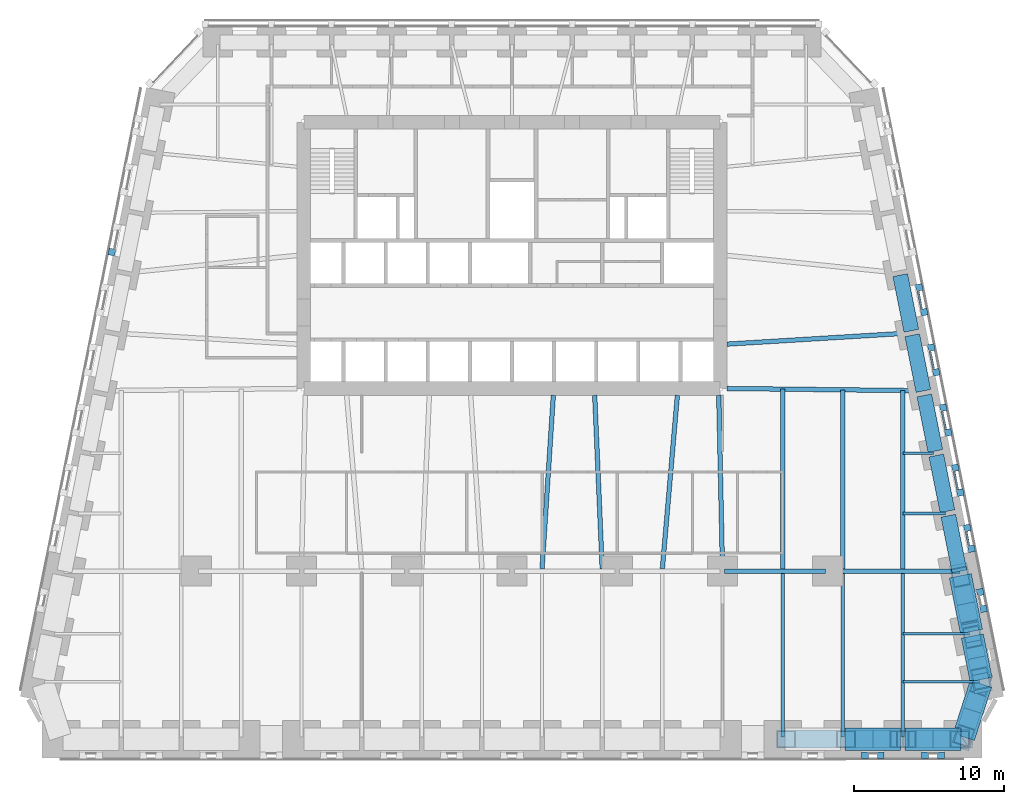
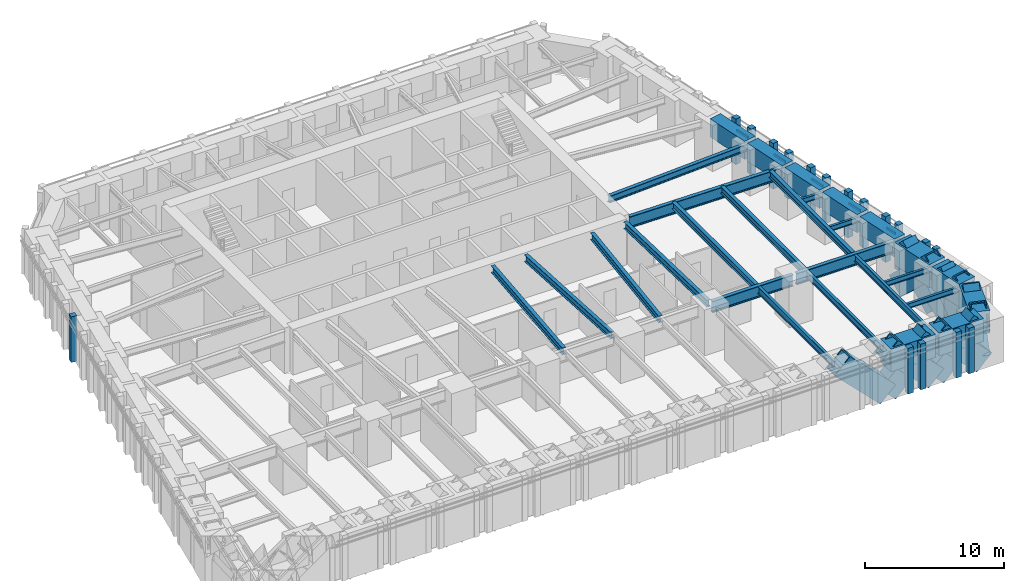
# One storey, part 3 of 16: 33 members, 28 beams, 9 elements without a shape of their own.
"""IFC4 building model written with IfcOpenShell, lengths in metres."""

from ifc_helpers import new_model, si_unit, direction, frame, origin, origin_2d, place, context, subcontext, project, spatial, rectangle, hollow_rectangle, i_section, extrude, material, material_profile, profile_set, type_object, element, aggregate, save


model = new_model("IFC4")

# Units and contexts
model_context = context("Model", 3, precision=1e-05, world=origin(), true_north=direction((0.0, 1.0)))
body_context = subcontext(model_context, "Body", "Model", "MODEL_VIEW")
ifc_project = project(units=[si_unit("LENGTHUNIT", "METRE"), si_unit("AREAUNIT", "SQUARE_METRE"), si_unit("VOLUMEUNIT", "CUBIC_METRE"), si_unit("PLANEANGLEUNIT", "RADIAN"), si_unit("MASSUNIT", "GRAM", prefix="KILO")], contexts=[model_context])

# Site, building, storey
site_placement = place(None, origin())
site = spatial("IfcSite", under=ifc_project, at=site_placement, CompositionType="ELEMENT")
building_placement = place(site_placement, origin())
building = spatial("IfcBuilding", under=site, at=building_placement, Name="Isbrekke Arena Tower", CompositionType="ELEMENT")
storey_placement = place(building_placement, frame((0.0, 0.0, 32.0)))
storey = spatial("IfcBuildingStorey", under=building, at=storey_placement, Name="L05", CompositionType="ELEMENT", Elevation=32.0)

# Beams
ifc_material_1 = material(Name="Steel S355", Category="steel")
ifc_material_profile_1 = material_profile(ifc_material_1, i_section(OverallWidth=0.219970703125, OverallDepth=0.60009765625, WebThickness=0.011962890625, FlangeThickness=0.01904296875, FilletRadius=0.02392578125, at=origin_2d()), Name="IPE 600")
ifc_profile_set_1 = profile_set([ifc_material_profile_1], Name="Steel S355")
beam_type_1 = type_object("IfcBeamType", Name="B1 IPE 600", PredefinedType="BEAM", material=ifc_profile_set_1)
for number, where, z_axis, x_axis, name in (
    (1, (18.0, -17.02490234375, 3.550048828125), (0.0, 1.0, 0.0), (-1.0, 0.0, 0.0), "B1 beam S-S13 L05"),
    (2, (22.0, -17.02490234375, 3.550048828125), (0.0, 1.0, 0.0), (-1.0, 0.0, 0.0), "B1 beam S-S14 L05"),
    (3, (26.0, -17.02490234375, 3.550048828125), (0.0, 1.0, 0.0), (-1.0, 0.0, 0.0), "B1 beam S-S15 L05"),
):
    element("IfcBeam", number, at=place(storey_placement, frame(where, z_axis=z_axis, x_axis=x_axis)), inside=storey, type_object=beam_type_1, Name=name, PredefinedType="BEAM", context=body_context, shape_type="SweptSolid", body=[
        extrude(i_section(OverallWidth=0.219970703125, OverallDepth=0.60009765625, WebThickness=0.011962890625, FlangeThickness=0.01904296875, FilletRadius=0.02392578125, at=origin_2d()), origin(), (0.0, 0.0, 1.0), 10.8740234375),
    ])
ifc_material_2 = material(Name="Steel S355", Category="steel")
ifc_material_profile_2 = material_profile(ifc_material_2, i_section(OverallWidth=0.18994140625, OverallDepth=0.449951171875, WebThickness=0.009521484375, FlangeThickness=0.0146484375, FilletRadius=0.02099609375, at=origin_2d()), Name="IPE 450")
ifc_profile_set_2 = profile_set([ifc_material_profile_2], Name="Steel S355")
beam_type_2 = type_object("IfcBeamType", Name="B2 IPE 450", PredefinedType="BEAM", material=ifc_profile_set_2)
beam_1_placement = place(storey_placement, frame((31.079345703125, -13.352783203125, 3.625), z_axis=(-1.0, 0.0, 0.0), x_axis=(0.0, -1.0, 0.0)))
element("IfcBeam", 4, at=beam_1_placement, inside=storey, type_object=beam_type_2, Name="B2 beam E-E01 L05", PredefinedType="BEAM", context=body_context, shape_type="SweptSolid", body=[
    extrude(i_section(OverallWidth=0.18994140625, OverallDepth=0.449951171875, WebThickness=0.009521484375, FlangeThickness=0.0146484375, FilletRadius=0.02099609375, at=origin_2d()), origin(), (0.0, 0.0, 1.0), 5.079345703125),
])
beam_2_placement = place(storey_placement, frame((30.44091796875, -10.161865234375, 3.625), z_axis=(-1.0, 0.0, 0.0), x_axis=(0.0, -1.0, 0.0)))
element("IfcBeam", 5, at=beam_2_placement, inside=storey, type_object=beam_type_2, Name="B2 beam E-E02 L05", PredefinedType="BEAM", context=body_context, shape_type="SweptSolid", body=[
    extrude(i_section(OverallWidth=0.18994140625, OverallDepth=0.449951171875, WebThickness=0.009521484375, FlangeThickness=0.0146484375, FilletRadius=0.02099609375, at=origin_2d()), origin(), (0.0, 0.0, 1.0), 4.44091796875),
])
beam_3_placement = place(storey_placement, frame((28.841064453125, -2.161865234375, 3.625), z_axis=(-1.0, 0.0, 0.0), x_axis=(0.0, -1.0, 0.0)))
element("IfcBeam", 6, at=beam_3_placement, inside=storey, type_object=beam_type_2, Name="B2 beam E-E04 L05", PredefinedType="BEAM", context=body_context, shape_type="SweptSolid", body=[
    extrude(i_section(OverallWidth=0.18994140625, OverallDepth=0.449951171875, WebThickness=0.009521484375, FlangeThickness=0.0146484375, FilletRadius=0.02099609375, at=origin_2d()), origin(), (0.0, 0.0, 1.0), 2.841064453125),
])
beam_4_placement = place(storey_placement, frame((28.041015625, 1.838134765625, 3.625), z_axis=(-1.0, 0.0, 0.0), x_axis=(0.0, -1.0, 0.0)))
element("IfcBeam", 7, at=beam_4_placement, inside=storey, type_object=beam_type_2, Name="B2 beam E-E05 L05", PredefinedType="BEAM", context=body_context, shape_type="SweptSolid", body=[
    extrude(i_section(OverallWidth=0.18994140625, OverallDepth=0.449951171875, WebThickness=0.009521484375, FlangeThickness=0.0146484375, FilletRadius=0.02099609375, at=origin_2d()), origin(), (0.0, 0.0, 1.0), 2.041015625),
])
ifc_material_3 = material(Name="Steel S355", Category="steel")
ifc_material_profile_3 = material_profile(ifc_material_3, i_section(OverallWidth=0.300048828125, OverallDepth=0.60009765625, WebThickness=0.015380859375, FlangeThickness=0.030029296875, FilletRadius=0.027099609375, at=origin_2d()), Name="HEB 600")
ifc_profile_set_3 = profile_set([ifc_material_profile_3], Name="Steel S355")
beam_type_3 = type_object("IfcBeamType", Name="B7 HEB 600", PredefinedType="BEAM", material=ifc_profile_set_3)
beam_5_placement = place(storey_placement, frame((2.000732421875, -5.83935546875, 3.550048828125), z_axis=(0.064795318476, 0.997898575359, 0.0), x_axis=(-0.997898575359, 0.064795318476, 0.0)))
element("IfcBeam", 8, at=beam_5_placement, inside=storey, type_object=beam_type_3, Name="B7 beam C-M08 L05", PredefinedType="BEAM", context=body_context, shape_type="SweptSolid", body=[
    extrude(i_section(OverallWidth=0.300048828125, OverallDepth=0.60009765625, WebThickness=0.015380859375, FlangeThickness=0.030029296875, FilletRadius=0.027099609375, at=origin_2d()), origin(), (0.0, 0.0, 1.0), 11.563720703125),
])
beam_6_placement = place(storey_placement, frame((5.999755859375, -5.842529296875, 3.550048828125), z_axis=(-0.04325656756, 0.99906399663, 0.0), x_axis=(-0.99906399663, -0.04325656756, 0.0)))
element("IfcBeam", 9, at=beam_6_placement, inside=storey, type_object=beam_type_3, Name="B7 beam C-M09 L05", PredefinedType="BEAM", context=body_context, shape_type="SweptSolid", body=[
    extrude(i_section(OverallWidth=0.300048828125, OverallDepth=0.60009765625, WebThickness=0.015380859375, FlangeThickness=0.030029296875, FilletRadius=0.027099609375, at=origin_2d()), origin(), (0.0, 0.0, 1.0), 11.55322265625),
])
beam_7_placement = place(storey_placement, frame((10.001220703125, -5.836181640625, 3.550048828125), z_axis=(0.086255671377, 0.996273034442, 0.0), x_axis=(-0.996273034442, 0.086255671377, 0.0)))
element("IfcBeam", 10, at=beam_7_placement, inside=storey, type_object=beam_type_3, Name="B7 beam C-M10 L05", PredefinedType="BEAM", context=body_context, shape_type="SweptSolid", body=[
    extrude(i_section(OverallWidth=0.300048828125, OverallDepth=0.60009765625, WebThickness=0.015380859375, FlangeThickness=0.030029296875, FilletRadius=0.027099609375, at=origin_2d()), origin(), (0.0, 0.0, 1.0), 11.579345703125),
])
beam_8_placement = place(storey_placement, frame((14.0, -5.8466796875, 3.550048828125), z_axis=(-0.021646264273, 0.999765692171, 0.0), x_axis=(-0.999765692171, -0.021646264273, 0.0)))
element("IfcBeam", 11, at=beam_8_placement, inside=storey, type_object=beam_type_3, Name="B7 beam C-M11 L05", PredefinedType="BEAM", context=body_context, shape_type="SweptSolid", body=[
    extrude(i_section(OverallWidth=0.300048828125, OverallDepth=0.60009765625, WebThickness=0.015380859375, FlangeThickness=0.030029296875, FilletRadius=0.027099609375, at=origin_2d()), origin(), (0.0, 0.0, 1.0), 11.54931640625),
])
beam_9_placement = place(storey_placement, frame((18.0, -5.84912109375, 3.550048828125), z_axis=(0.0, 1.0, 0.0), x_axis=(-1.0, 0.0, 0.0)))
element("IfcBeam", 12, at=beam_9_placement, inside=storey, type_object=beam_type_3, Name="B7 beam C-M12 L05", PredefinedType="BEAM", context=body_context, shape_type="SweptSolid", body=[
    extrude(i_section(OverallWidth=0.300048828125, OverallDepth=0.60009765625, WebThickness=0.015380859375, FlangeThickness=0.030029296875, FilletRadius=0.027099609375, at=origin_2d()), origin(), (0.0, 0.0, 1.0), 11.956787109375),
])
beam_10_placement = place(storey_placement, frame((22.0, -5.84912109375, 3.550048828125), z_axis=(0.0, 1.0, 0.0), x_axis=(-1.0, 0.0, 0.0)))
element("IfcBeam", 13, at=beam_10_placement, inside=storey, type_object=beam_type_3, Name="B7 beam C-M13 L05", PredefinedType="BEAM", context=body_context, shape_type="SweptSolid", body=[
    extrude(i_section(OverallWidth=0.300048828125, OverallDepth=0.60009765625, WebThickness=0.015380859375, FlangeThickness=0.030029296875, FilletRadius=0.027099609375, at=origin_2d()), origin(), (0.0, 0.0, 1.0), 11.910888671875),
])
beam_11_placement = place(storey_placement, frame((26.0, -5.84912109375, 3.550048828125), z_axis=(0.0, 1.0, 0.0), x_axis=(-1.0, 0.0, 0.0)))
element("IfcBeam", 14, at=beam_11_placement, inside=storey, type_object=beam_type_3, Name="B7 beam C-M14 L05", PredefinedType="BEAM", context=body_context, shape_type="SweptSolid", body=[
    extrude(i_section(OverallWidth=0.300048828125, OverallDepth=0.60009765625, WebThickness=0.015380859375, FlangeThickness=0.030029296875, FilletRadius=0.027099609375, at=origin_2d()), origin(), (0.0, 0.0, 1.0), 11.864990234375),
])
beam_12_placement = place(storey_placement, frame((26.431884765625, 9.837646484375, 3.550048828125), z_axis=(-0.998157121592, -0.060682457223, 0.0), x_axis=(0.060682457223, -0.998157121592, 0.0)))
element("IfcBeam", 15, at=beam_12_placement, inside=storey, type_object=beam_type_3, Name="B7 beam E-E07 L05", PredefinedType="BEAM", context=body_context, shape_type="SweptSolid", body=[
    extrude(i_section(OverallWidth=0.300048828125, OverallDepth=0.60009765625, WebThickness=0.015380859375, FlangeThickness=0.030029296875, FilletRadius=0.027099609375, at=origin_2d()), origin(), (0.0, 0.0, 1.0), 12.154296875),
])

# Curtain wall, members
ifc_material_4 = material(Name="Glazed aluminium curtain wall", Category="aluminium")
curtain_wall_type = type_object("IfcCurtainWallType", Name="CWL TOWER CURTAIN WALL LOW ZONE", PredefinedType="USERDEFINED", material=ifc_material_4)
curtain_wall_1_placement = place(storey_placement, origin())
curtain_wall_1 = element("IfcCurtainWall", 16, at=curtain_wall_1_placement, inside=storey, type_object=curtain_wall_type, Name="CWL curtain wall L05-S27", ObjectType="TOWER CURTAIN WALL LOW ZONE", PredefinedType="USERDEFINED")
ifc_material_5 = material(Name="Aluminium mullion, pale brick slip cladding", Category="masonry")
ifc_material_profile_4 = material_profile(ifc_material_5, rectangle(XDim=0.449951171875, YDim=0.449951171875, at=origin_2d()), Name="PIER 450X450")
ifc_profile_set_4 = profile_set([ifc_material_profile_4], Name="Aluminium mullion, pale brick slip cladding")
member_type_1 = type_object("IfcMemberType", Name="CWL-M PIER MULLION 450 x 450", PredefinedType="MULLION", material=ifc_profile_set_4)
member_1_placement = place(storey_placement, frame((23.47509765625, -18.25, 0.0), z_axis=(0.0, 0.0, 1.0), x_axis=(1.0, 0.0, 0.0)))
member_1 = element("IfcMember", 17, at=member_1_placement, type_object=member_type_1, Name="CWL-M mullion 1", PredefinedType="MULLION", context=body_context, shape_type="SweptSolid", body=[
    extrude(rectangle(XDim=0.449951171875, YDim=0.449951171875, at=origin_2d()), origin(), (0.0, 0.0, 1.0), 4.0),
])
member_2_placement = place(storey_placement, frame((24.52490234375, -18.25, 0.0), z_axis=(0.0, 0.0, 1.0), x_axis=(1.0, 0.0, 0.0)))
member_2 = element("IfcMember", 18, at=member_2_placement, type_object=member_type_1, Name="CWL-M mullion 2", PredefinedType="MULLION", context=body_context, shape_type="SweptSolid", body=[
    extrude(rectangle(XDim=0.449951171875, YDim=0.449951171875, at=origin_2d()), origin(), (0.0, 0.0, 1.0), 4.0),
])
aggregate(curtain_wall_1, [member_1, member_2])

curtain_wall_2_placement = place(storey_placement, origin())
curtain_wall_2 = element("IfcCurtainWall", 19, at=curtain_wall_2_placement, inside=storey, type_object=curtain_wall_type, Name="CWL curtain wall L05-S29", ObjectType="TOWER CURTAIN WALL LOW ZONE", PredefinedType="USERDEFINED")
member_3_placement = place(storey_placement, frame((27.47509765625, -18.25, 0.0), z_axis=(0.0, 0.0, 1.0), x_axis=(1.0, 0.0, 0.0)))
member_3 = element("IfcMember", 20, at=member_3_placement, type_object=member_type_1, Name="CWL-M mullion 1", PredefinedType="MULLION", context=body_context, shape_type="SweptSolid", body=[
    extrude(rectangle(XDim=0.449951171875, YDim=0.449951171875, at=origin_2d()), origin(), (0.0, 0.0, 1.0), 4.0),
])
member_4_placement = place(storey_placement, frame((28.527099609375, -18.25, 0.0), z_axis=(0.0, 0.0, 1.0), x_axis=(1.0, 0.0, 0.0)))
member_4 = element("IfcMember", 21, at=member_4_placement, type_object=member_type_1, Name="CWL-M mullion 2", PredefinedType="MULLION", context=body_context, shape_type="SweptSolid", body=[
    extrude(rectangle(XDim=0.449951171875, YDim=0.449951171875, at=origin_2d()), origin(), (0.0, 0.0, 1.0), 4.0),
])
aggregate(curtain_wall_2, [member_3, member_4])

curtain_wall_3_placement = place(storey_placement, origin())
curtain_wall_3 = element("IfcCurtainWall", 22, at=curtain_wall_3_placement, inside=storey, type_object=curtain_wall_type, Name="CWL curtain wall L05-E3", ObjectType="TOWER CURTAIN WALL LOW ZONE", PredefinedType="USERDEFINED")
member_5_placement = place(storey_placement, frame((31.35595703125, -8.504638671875, 0.0), z_axis=(0.0, 0.0, 1.0), x_axis=(-0.196116135138, 0.980580675691, 0.0)))
member_5 = element("IfcMember", 23, at=member_5_placement, type_object=member_type_1, Name="CWL-M mullion 1", PredefinedType="MULLION", context=body_context, shape_type="SweptSolid", body=[
    extrude(rectangle(XDim=0.449951171875, YDim=0.449951171875, at=origin_2d()), origin(), (0.0, 0.0, 1.0), 4.0),
])
member_6_placement = place(storey_placement, frame((31.134521484375, -7.397216796875, 0.0), z_axis=(0.0, 0.0, 1.0), x_axis=(-0.196116135138, 0.980580675691, 0.0)))
member_6 = element("IfcMember", 24, at=member_6_placement, type_object=member_type_1, Name="CWL-M mullion 2", PredefinedType="MULLION", context=body_context, shape_type="SweptSolid", body=[
    extrude(rectangle(XDim=0.449951171875, YDim=0.449951171875, at=origin_2d()), origin(), (0.0, 0.0, 1.0), 4.0),
])
aggregate(curtain_wall_3, [member_5, member_6])

curtain_wall_4_placement = place(storey_placement, origin())
curtain_wall_4 = element("IfcCurtainWall", 25, at=curtain_wall_4_placement, inside=storey, type_object=curtain_wall_type, Name="CWL curtain wall L05-E5", ObjectType="TOWER CURTAIN WALL LOW ZONE", PredefinedType="USERDEFINED")
member_7_placement = place(storey_placement, frame((30.555908203125, -4.504638671875, 0.0), z_axis=(0.0, 0.0, 1.0), x_axis=(-0.196116135138, 0.980580675691, 0.0)))
member_7 = element("IfcMember", 26, at=member_7_placement, type_object=member_type_1, Name="CWL-M mullion 1", PredefinedType="MULLION", context=body_context, shape_type="SweptSolid", body=[
    extrude(rectangle(XDim=0.449951171875, YDim=0.449951171875, at=origin_2d()), origin(), (0.0, 0.0, 1.0), 4.0),
])
member_8_placement = place(storey_placement, frame((30.280517578125, -3.127685546875, 0.0), z_axis=(0.0, 0.0, 1.0), x_axis=(-0.196116135138, 0.980580675691, 0.0)))
member_8 = element("IfcMember", 27, at=member_8_placement, type_object=member_type_1, Name="CWL-M mullion 2", PredefinedType="MULLION", context=body_context, shape_type="SweptSolid", body=[
    extrude(rectangle(XDim=0.449951171875, YDim=0.449951171875, at=origin_2d()), origin(), (0.0, 0.0, 1.0), 4.0),
])

curtain_wall_5_placement = place(storey_placement, origin())
curtain_wall_5 = element("IfcCurtainWall", 28, at=curtain_wall_5_placement, inside=storey, type_object=curtain_wall_type, Name="CWL curtain wall L05-E7", ObjectType="TOWER CURTAIN WALL LOW ZONE", PredefinedType="USERDEFINED")
member_9_placement = place(storey_placement, frame((29.809814453125, -0.774169921875, 0.0), z_axis=(0.0, 0.0, 1.0), x_axis=(-0.196116135138, 0.980580675691, 0.0)))
member_9 = element("IfcMember", 29, at=member_9_placement, type_object=member_type_1, Name="CWL-M mullion 1", PredefinedType="MULLION", context=body_context, shape_type="SweptSolid", body=[
    extrude(rectangle(XDim=0.449951171875, YDim=0.449951171875, at=origin_2d()), origin(), (0.0, 0.0, 1.0), 4.0),
])
member_10_placement = place(storey_placement, frame((29.48046875, 0.872314453125, 0.0), z_axis=(0.0, 0.0, 1.0), x_axis=(-0.196116135138, 0.980580675691, 0.0)))
member_10 = element("IfcMember", 30, at=member_10_placement, type_object=member_type_1, Name="CWL-M mullion 2", PredefinedType="MULLION", context=body_context, shape_type="SweptSolid", body=[
    extrude(rectangle(XDim=0.449951171875, YDim=0.449951171875, at=origin_2d()), origin(), (0.0, 0.0, 1.0), 4.0),
])

curtain_wall_6_placement = place(storey_placement, origin())
curtain_wall_6 = element("IfcCurtainWall", 31, at=curtain_wall_6_placement, inside=storey, type_object=curtain_wall_type, Name="CWL curtain wall L05-E9", ObjectType="TOWER CURTAIN WALL LOW ZONE", PredefinedType="USERDEFINED")
member_11_placement = place(storey_placement, frame((29.009765625, 3.225830078125, 0.0), z_axis=(0.0, 0.0, 1.0), x_axis=(-0.196116135138, 0.980580675691, 0.0)))
member_11 = element("IfcMember", 32, at=member_11_placement, type_object=member_type_1, Name="CWL-M mullion 1", PredefinedType="MULLION", context=body_context, shape_type="SweptSolid", body=[
    extrude(rectangle(XDim=0.449951171875, YDim=0.449951171875, at=origin_2d()), origin(), (0.0, 0.0, 1.0), 4.0),
])
member_12_placement = place(storey_placement, frame((28.680419921875, 4.872314453125, 0.0), z_axis=(0.0, 0.0, 1.0), x_axis=(-0.196116135138, 0.980580675691, 0.0)))
member_12 = element("IfcMember", 33, at=member_12_placement, type_object=member_type_1, Name="CWL-M mullion 2", PredefinedType="MULLION", context=body_context, shape_type="SweptSolid", body=[
    extrude(rectangle(XDim=0.449951171875, YDim=0.449951171875, at=origin_2d()), origin(), (0.0, 0.0, 1.0), 4.0),
])

curtain_wall_7_placement = place(storey_placement, origin())
curtain_wall_7 = element("IfcCurtainWall", 34, at=curtain_wall_7_placement, inside=storey, type_object=curtain_wall_type, Name="CWL curtain wall L05-E11", ObjectType="TOWER CURTAIN WALL LOW ZONE", PredefinedType="USERDEFINED")
member_13_placement = place(storey_placement, frame((28.209716796875, 7.225830078125, 0.0), z_axis=(0.0, 0.0, 1.0), x_axis=(-0.196116135138, 0.980580675691, 0.0)))
member_13 = element("IfcMember", 35, at=member_13_placement, type_object=member_type_1, Name="CWL-M mullion 1", PredefinedType="MULLION", context=body_context, shape_type="SweptSolid", body=[
    extrude(rectangle(XDim=0.449951171875, YDim=0.449951171875, at=origin_2d()), origin(), (0.0, 0.0, 1.0), 4.0),
])
member_14_placement = place(storey_placement, frame((27.88037109375, 8.872314453125, 0.0), z_axis=(0.0, 0.0, 1.0), x_axis=(-0.196116135138, 0.980580675691, 0.0)))
member_14 = element("IfcMember", 36, at=member_14_placement, type_object=member_type_1, Name="CWL-M mullion 2", PredefinedType="MULLION", context=body_context, shape_type="SweptSolid", body=[
    extrude(rectangle(XDim=0.449951171875, YDim=0.449951171875, at=origin_2d()), origin(), (0.0, 0.0, 1.0), 4.0),
])

curtain_wall_8_placement = place(storey_placement, origin())
curtain_wall_8 = element("IfcCurtainWall", 37, at=curtain_wall_8_placement, inside=storey, type_object=curtain_wall_type, Name="CWL curtain wall L05-E13", ObjectType="TOWER CURTAIN WALL LOW ZONE", PredefinedType="USERDEFINED")
member_15_placement = place(storey_placement, frame((27.409912109375, 11.225830078125, 0.0), z_axis=(0.0, 0.0, 1.0), x_axis=(-0.196116135138, 0.980580675691, 0.0)))
member_15 = element("IfcMember", 38, at=member_15_placement, type_object=member_type_1, Name="CWL-M mullion 1", PredefinedType="MULLION", context=body_context, shape_type="SweptSolid", body=[
    extrude(rectangle(XDim=0.449951171875, YDim=0.449951171875, at=origin_2d()), origin(), (0.0, 0.0, 1.0), 4.0),
])
member_16_placement = place(storey_placement, frame((27.08056640625, 12.872314453125, 0.0), z_axis=(0.0, 0.0, 1.0), x_axis=(-0.196116135138, 0.980580675691, 0.0)))
member_16 = element("IfcMember", 39, at=member_16_placement, type_object=member_type_1, Name="CWL-M mullion 2", PredefinedType="MULLION", context=body_context, shape_type="SweptSolid", body=[
    extrude(rectangle(XDim=0.449951171875, YDim=0.449951171875, at=origin_2d()), origin(), (0.0, 0.0, 1.0), 4.0),
])

# Curtain wall, member
curtain_wall_9_placement = place(storey_placement, origin())
curtain_wall_9 = element("IfcCurtainWall", 40, at=curtain_wall_9_placement, inside=storey, type_object=curtain_wall_type, Name="CWL curtain wall L05-W5", ObjectType="TOWER CURTAIN WALL LOW ZONE", PredefinedType="USERDEFINED")
member_17_placement = place(storey_placement, frame((-26.60986328125, 15.225830078125, 0.0), z_axis=(0.0, 0.0, 1.0), x_axis=(-0.196116135138, -0.980580675691, 0.0)))
member_17 = element("IfcMember", 41, at=member_17_placement, type_object=member_type_1, Name="CWL-M mullion 2", PredefinedType="MULLION", context=body_context, shape_type="SweptSolid", body=[
    extrude(rectangle(XDim=0.449951171875, YDim=0.449951171875, at=origin_2d()), origin(), (0.0, 0.0, 1.0), 4.0),
])
aggregate(curtain_wall_9, [member_17])

# Member
ifc_material_6 = material(Name="Aluminium transom", Category="aluminium")
ifc_material_profile_5 = material_profile(ifc_material_6, rectangle(XDim=0.1201171875, YDim=0.199951171875, at=origin_2d()), Name="TRANSOM 120X200")
ifc_profile_set_5 = profile_set([ifc_material_profile_5], Name="Aluminium transom")
member_type_2 = type_object("IfcMemberType", Name="CWL-T TRANSOM 120 x 200", PredefinedType="USERDEFINED", material=ifc_profile_set_5)
member_18_placement = place(storey_placement, frame((30.38916015625, -4.30859375, 3.0), z_axis=(-0.19596853661, 0.980610183844, 0.0), x_axis=(-0.980610183844, -0.19596853661, 0.0)))
member_18 = element("IfcMember", 42, at=member_18_placement, type_object=member_type_2, Name="CWL-T transom 1", ObjectType="TRANSOM", PredefinedType="USERDEFINED", context=body_context, shape_type="SweptSolid", body=[
    extrude(rectangle(XDim=0.1201171875, YDim=0.199951171875, at=origin_2d()), origin(), (0.0, 0.0, 1.0), 0.954345703125),
])

aggregate(curtain_wall_4, [member_7, member_8, member_18])

member_19_placement = place(storey_placement, frame((29.64306640625, -0.578125, 3.0), z_axis=(-0.196039741533, 0.980595951317, 0.0), x_axis=(-0.980595951317, -0.196039741533, 0.0)))
member_19 = element("IfcMember", 43, at=member_19_placement, type_object=member_type_2, Name="CWL-T transom 1", ObjectType="TRANSOM", PredefinedType="USERDEFINED", context=body_context, shape_type="SweptSolid", body=[
    extrude(rectangle(XDim=0.1201171875, YDim=0.199951171875, at=origin_2d()), origin(), (0.0, 0.0, 1.0), 1.229248046875),
])

aggregate(curtain_wall_5, [member_9, member_10, member_19])

member_20_placement = place(storey_placement, frame((28.843017578125, 3.421875, 3.0), z_axis=(-0.196039741533, 0.980595951317, 0.0), x_axis=(-0.980595951317, -0.196039741533, 0.0)))
member_20 = element("IfcMember", 44, at=member_20_placement, type_object=member_type_2, Name="CWL-T transom 1", ObjectType="TRANSOM", PredefinedType="USERDEFINED", context=body_context, shape_type="SweptSolid", body=[
    extrude(rectangle(XDim=0.1201171875, YDim=0.199951171875, at=origin_2d()), origin(), (0.0, 0.0, 1.0), 1.229248046875),
])

aggregate(curtain_wall_6, [member_11, member_12, member_20])

member_21_placement = place(storey_placement, frame((28.043212890625, 7.421875, 3.0), z_axis=(-0.19623071885, 0.980557751986, 0.0), x_axis=(-0.980557751986, -0.19623071885, 0.0)))
member_21 = element("IfcMember", 45, at=member_21_placement, type_object=member_type_2, Name="CWL-T transom 1", ObjectType="TRANSOM", PredefinedType="USERDEFINED", context=body_context, shape_type="SweptSolid", body=[
    extrude(rectangle(XDim=0.1201171875, YDim=0.199951171875, at=origin_2d()), origin(), (0.0, 0.0, 1.0), 1.229248046875),
])

aggregate(curtain_wall_7, [member_13, member_14, member_21])

member_22_placement = place(storey_placement, frame((27.2431640625, 11.421875, 3.0), z_axis=(-0.19623071885, 0.980557751986, 0.0), x_axis=(-0.980557751986, -0.19623071885, 0.0)))
member_22 = element("IfcMember", 46, at=member_22_placement, type_object=member_type_2, Name="CWL-T transom 1", ObjectType="TRANSOM", PredefinedType="USERDEFINED", context=body_context, shape_type="SweptSolid", body=[
    extrude(rectangle(XDim=0.1201171875, YDim=0.199951171875, at=origin_2d()), origin(), (0.0, 0.0, 1.0), 1.229248046875),
])

aggregate(curtain_wall_8, [member_15, member_16, member_22])

# Beams
ifc_material_7 = material(Name="Steel S355", Category="steel")
ifc_material_profile_6 = material_profile(ifc_material_7, i_section(OverallWidth=0.302001953125, OverallDepth=1.008056640625, WebThickness=0.02099609375, FlangeThickness=0.0400390625, FilletRadius=0.030029296875, at=origin_2d()), Name="HEM 1000")
ifc_profile_set_6 = profile_set([ifc_material_profile_6], Name="Steel S355")
beam_type_4 = type_object("IfcBeamType", Name="G1 HEM 1000", PredefinedType="BEAM", material=ifc_profile_set_6)
beam_13_placement = place(storey_placement, frame((14.14990234375, -6.0, 3.345947265625), z_axis=(1.0, 0.0, 0.0), x_axis=(0.0, 1.0, 0.0)))
element("IfcBeam", 47, at=beam_13_placement, inside=storey, type_object=beam_type_4, Name="G1 beam G1-07 L05", PredefinedType="BEAM", context=body_context, shape_type="SweptSolid", body=[
    extrude(i_section(OverallWidth=0.302001953125, OverallDepth=1.008056640625, WebThickness=0.02099609375, FlangeThickness=0.0400390625, FilletRadius=0.030029296875, at=origin_2d()), origin(), (0.0, 0.0, 1.0), 6.7001953125),
])
beam_14_placement = place(storey_placement, frame((21.14990234375, -6.0, 3.345947265625), z_axis=(1.0, 0.0, 0.0), x_axis=(0.0, 1.0, 0.0)))
element("IfcBeam", 48, at=beam_14_placement, inside=storey, type_object=beam_type_4, Name="G1 beam G1-08 L05", PredefinedType="BEAM", context=body_context, shape_type="SweptSolid", body=[
    extrude(i_section(OverallWidth=0.302001953125, OverallDepth=1.008056640625, WebThickness=0.02099609375, FlangeThickness=0.0400390625, FilletRadius=0.030029296875, at=origin_2d()), origin(), (0.0, 0.0, 1.0), 8.64111328125),
])
ifc_material_8 = material(Name="Steel S355", Category="steel")
ifc_material_profile_7 = material_profile(ifc_material_8, i_section(OverallWidth=0.302001953125, OverallDepth=1.008056640625, WebThickness=0.02099609375, FlangeThickness=0.0400390625, FilletRadius=0.030029296875, at=origin_2d()), Name="HEM 1000")
ifc_profile_set_7 = profile_set([ifc_material_profile_7], Name="Steel S355")
beam_type_5 = type_object("IfcBeamType", Name="G2 HEM 1000", PredefinedType="BEAM", material=ifc_profile_set_7)
beam_15_placement = place(storey_placement, frame((14.300048828125, 6.14990234375, 3.345947265625), z_axis=(0.999934429634, -0.011451481699, 0.0), x_axis=(0.011451481699, 0.999934429634, 0.0)))
element("IfcBeam", 49, at=beam_15_placement, inside=storey, type_object=beam_type_5, Name="G2 beam G2-E L05", PredefinedType="BEAM", context=body_context, shape_type="SweptSolid", body=[
    extrude(i_section(OverallWidth=0.302001953125, OverallDepth=1.008056640625, WebThickness=0.02099609375, FlangeThickness=0.0400390625, FilletRadius=0.030029296875, at=origin_2d()), origin(), (0.0, 0.0, 1.0), 13.09033203125),
])
ifc_material_9 = material(Name="Concrete B90 (C90/105)", Category="concrete")
ifc_material_profile_8 = material_profile(ifc_material_9, rectangle(XDim=1.0, YDim=1.60009765625, at=origin_2d()), Name="RC 1000x1600")
ifc_profile_set_8 = profile_set([ifc_material_profile_8], Name="Concrete B90 (C90/105)")
beam_type_6 = type_object("IfcBeamType", Name="SB1 RC 1000 x 1600", PredefinedType="SPANDREL", material=ifc_profile_set_8)
for number, where, z_axis, x_axis, name in (
    (50, (29.76171875, -6.0146484375, 3.199951171875), (-0.196128558387, 0.980578190959, 0.0), (-0.980578190959, -0.196128558387, 0.0), "SB1 spandrel E03-E04 L05"),
    (51, (28.961669921875, -2.0146484375, 3.199951171875), (-0.196128558387, 0.980578190959, 0.0), (-0.980578190959, -0.196128558387, 0.0), "SB1 spandrel E04-E05 L05"),
    (52, (28.16162109375, 1.9853515625, 3.199951171875), (-0.196128558387, 0.980578190959, 0.0), (-0.980578190959, -0.196128558387, 0.0), "SB1 spandrel E05-E06 L05"),
    (53, (27.361572265625, 5.9853515625, 3.199951171875), (-0.196128558387, 0.980578190959, 0.0), (-0.980578190959, -0.196128558387, 0.0), "SB1 spandrel E06-E07 L05"),
):
    element("IfcBeam", number, at=place(storey_placement, frame(where, z_axis=z_axis, x_axis=x_axis)), inside=storey, type_object=beam_type_6, Name=name, PredefinedType="SPANDREL", context=body_context, shape_type="SweptSolid", body=[
        extrude(rectangle(XDim=1.0, YDim=1.60009765625, at=origin_2d()), origin(), (0.0, 0.0, 1.0), 3.779296875),
    ])
beam_16_placement = place(storey_placement, frame((26.5615234375, 9.9853515625, 3.199951171875), z_axis=(-0.1960664412, 0.980590613169, 0.0), x_axis=(-0.980590613169, -0.1960664412, 0.0)))
element("IfcBeam", 54, at=beam_16_placement, inside=storey, type_object=beam_type_6, Name="SB1 spandrel E07-E08 L05", PredefinedType="SPANDREL", context=body_context, shape_type="SweptSolid", body=[
    extrude(rectangle(XDim=1.0, YDim=1.60009765625, at=origin_2d()), origin(), (0.0, 0.0, 1.0), 3.779052734375),
])
ifc_material_10 = material(Name="Concrete B90 (C90/105)", Category="concrete")
ifc_material_profile_9 = material_profile(ifc_material_10, rectangle(XDim=1.5, YDim=2.0, at=origin_2d()), Name="RC 1500x2000")
ifc_profile_set_9 = profile_set([ifc_material_profile_9], Name="Concrete B90 (C90/105)")
beam_type_7 = type_object("IfcBeamType", Name="SB6 RC 1500 x 2000", PredefinedType="SPANDREL", material=ifc_profile_set_9)
for number, where, z_axis, x_axis, name in (
    (55, (22.14990234375, -17.175048828125, 3.0), (1.0, 0.0, 0.0), (0.0, 1.0, 0.0), "SB6 spandrel S14-S15 L05"),
    (56, (26.14990234375, -17.175048828125, 3.0), (1.0, 0.0, 0.0), (0.0, 1.0, 0.0), "SB6 spandrel S15-S16 L05"),
):
    element("IfcBeam", number, at=place(storey_placement, frame(where, z_axis=z_axis, x_axis=x_axis)), inside=storey, type_object=beam_type_7, Name=name, PredefinedType="SPANDREL", context=body_context, shape_type="SweptSolid", body=[
        extrude(rectangle(XDim=1.5, YDim=2.0, at=origin_2d()), origin(), (0.0, 0.0, 1.0), 3.7001953125),
    ])
beam_17_placement = place(storey_placement, frame((30.0458984375, -17.0322265625, 3.0), z_axis=(0.306175101476, 0.951975213562, 0.0), x_axis=(-0.951975213562, 0.306175101476, 0.0)))
element("IfcBeam", 57, at=beam_17_placement, inside=storey, type_object=beam_type_7, Name="SB6 spandrel S16-E01 L05", PredefinedType="SPANDREL", context=body_context, shape_type="SweptSolid", body=[
    extrude(rectangle(XDim=1.5, YDim=2.0, at=origin_2d()), origin(), (0.0, 0.0, 1.0), 3.715087890625),
])
beam_18_placement = place(storey_placement, frame((31.19970703125, -13.205810546875, 3.0), z_axis=(-0.196100243168, 0.980583853951, 0.0), x_axis=(-0.980583853951, -0.196100243168, 0.0)))
element("IfcBeam", 58, at=beam_18_placement, inside=storey, type_object=beam_type_7, Name="SB6 spandrel E01-E02 L05", PredefinedType="SPANDREL", context=body_context, shape_type="SweptSolid", body=[
    extrude(rectangle(XDim=1.5, YDim=2.0, at=origin_2d()), origin(), (0.0, 0.0, 1.0), 2.954345703125),
])
beam_19_placement = place(storey_placement, frame((30.5615234375, -10.0146484375, 3.0), z_axis=(-0.1960664412, 0.980590613169, 0.0), x_axis=(-0.980590613169, -0.1960664412, 0.0)))
element("IfcBeam", 59, at=beam_19_placement, inside=storey, type_object=beam_type_7, Name="SB6 spandrel E02-E03 L05", PredefinedType="SPANDREL", context=body_context, shape_type="SweptSolid", body=[
    extrude(rectangle(XDim=1.5, YDim=2.0, at=origin_2d()), origin(), (0.0, 0.0, 1.0), 3.779052734375),
])

# Members
ifc_material_11 = material(Name="Steel S460", Category="steel")
ifc_material_profile_10 = material_profile(ifc_material_11, hollow_rectangle(XDim=1.199951171875, YDim=1.800048828125, WallThickness=0.090087890625, at=origin_2d()), Name="BOX 1200x1800x90")
ifc_profile_set_10 = profile_set([ifc_material_profile_10], Name="Steel S460")
member_type_3 = type_object("IfcMemberType", Name="TB1 BOX 1200x1800x90", PredefinedType="BRACE", material=ifc_profile_set_10)
for number, where, z_axis, x_axis, name in (
    (60, (18.220703125, -17.175048828125, 3.779296875), (0.707106781187, 0.0, -0.707106781187), (0.0, 1.0, 0.0), "TB1 transfer brace S13-S14 L05 B"),
    (61, (22.0, -17.175048828125, 0.0), (0.707106781187, 0.0, 0.707106781187), (0.0, 1.0, 0.0), "TB1 transfer brace S14-S15 L05 A"),
    (62, (22.220703125, -17.175048828125, 3.779296875), (0.707106781187, 0.0, -0.707106781187), (0.0, 1.0, 0.0), "TB1 transfer brace S14-S15 L05 B"),
    (63, (26.0, -17.175048828125, 0.0), (0.707106781187, 0.0, 0.707106781187), (0.0, 1.0, 0.0), "TB1 transfer brace S15-S16 L05 A"),
    (64, (26.220703125, -17.175048828125, 3.779296875), (0.707106781187, 0.0, -0.707106781187), (0.0, 1.0, 0.0), "TB1 transfer brace S15-S16 L05 B"),
):
    element("IfcMember", number, at=place(storey_placement, frame(where, z_axis=z_axis, x_axis=x_axis)), inside=storey, type_object=member_type_3, Name=name, PredefinedType="BRACE", context=body_context, shape_type="SweptSolid", body=[
        extrude(hollow_rectangle(XDim=1.199951171875, YDim=1.800048828125, WallThickness=0.090087890625, at=origin_2d()), origin(), (0.0, 0.0, 1.0), 5.3447265625),
    ])
for number, where, z_axis, x_axis, name in (
    (65, (30.0, -17.175048828125, 0.0), (0.216888895255, 0.67441597421, 0.705777798493), (-0.951982356028, 0.306152892868, 0.0), "TB1 transfer brace S16-E01 L05 A"),
    (66, (30.067626953125, -16.96484375, 3.780029296875), (0.216888895255, 0.67441597421, -0.705777798493), (-0.951982356028, 0.306152892868, 0.0), "TB1 transfer brace S16-E01 L05 B"),
):
    element("IfcMember", number, at=place(storey_placement, frame(where, z_axis=z_axis, x_axis=x_axis)), inside=storey, type_object=member_type_3, Name=name, PredefinedType="BRACE", context=body_context, shape_type="SweptSolid", body=[
        extrude(hollow_rectangle(XDim=1.199951171875, YDim=1.800048828125, WallThickness=0.090087890625, at=origin_2d()), origin(), (0.0, 0.0, 1.0), 5.355712890625),
    ])
for number, where, z_axis, x_axis, name in (
    (67, (31.229248046875, -13.352783203125, 0.0), (-0.123773292261, 0.618815796836, 0.775723650348), (-0.980577587758, -0.196131574168, 0.0), "TB1 transfer brace E01-E02 L05 A"),
    (68, (31.1875, -13.143798828125, 3.738037109375), (-0.123773292261, 0.618815796836, -0.775723650348), (-0.980577587758, -0.196131574168, 0.0), "TB1 transfer brace E01-E02 L05 B"),
):
    element("IfcMember", number, at=place(storey_placement, frame(where, z_axis=z_axis, x_axis=x_axis)), inside=storey, type_object=member_type_3, Name=name, PredefinedType="BRACE", context=body_context, shape_type="SweptSolid", body=[
        extrude(hollow_rectangle(XDim=1.199951171875, YDim=1.800048828125, WallThickness=0.090087890625, at=origin_2d()), origin(), (0.0, 0.0, 1.0), 4.81884765625),
    ])
for number, where, z_axis, x_axis, name in (
    (69, (30.591064453125, -10.161865234375, 0.0), (-0.140028008403, 0.700140042014, 0.700140042014), (-0.980580675691, -0.196116135138, 0.0), "TB1 transfer brace E02-E03 L05 A"),
    (70, (30.547607421875, -9.944580078125, 3.782958984375), (-0.140032438362, 0.700117005481, -0.700162191812), (-0.980578241477, -0.196128305817, 0.0), "TB1 transfer brace E02-E03 L05 B"),
):
    element("IfcMember", number, at=place(storey_placement, frame(where, z_axis=z_axis, x_axis=x_axis)), inside=storey, type_object=member_type_3, Name=name, PredefinedType="BRACE", context=body_context, shape_type="SweptSolid", body=[
        extrude(hollow_rectangle(XDim=1.199951171875, YDim=1.800048828125, WallThickness=0.090087890625, at=origin_2d()), origin(), (0.0, 0.0, 1.0), 5.403076171875),
    ])

save(model, "model.ifc")
